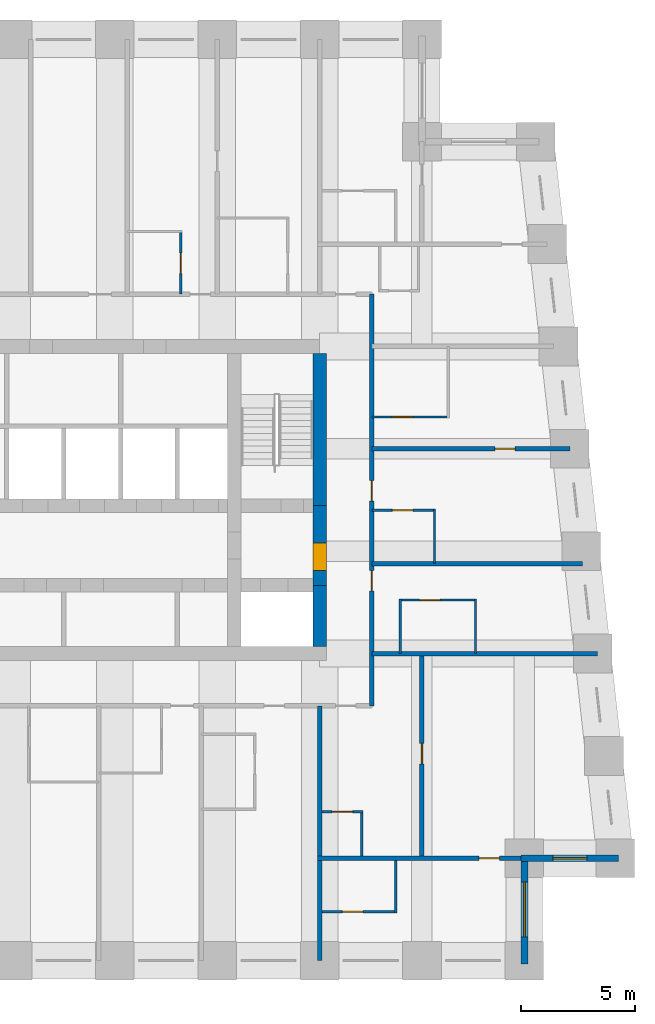
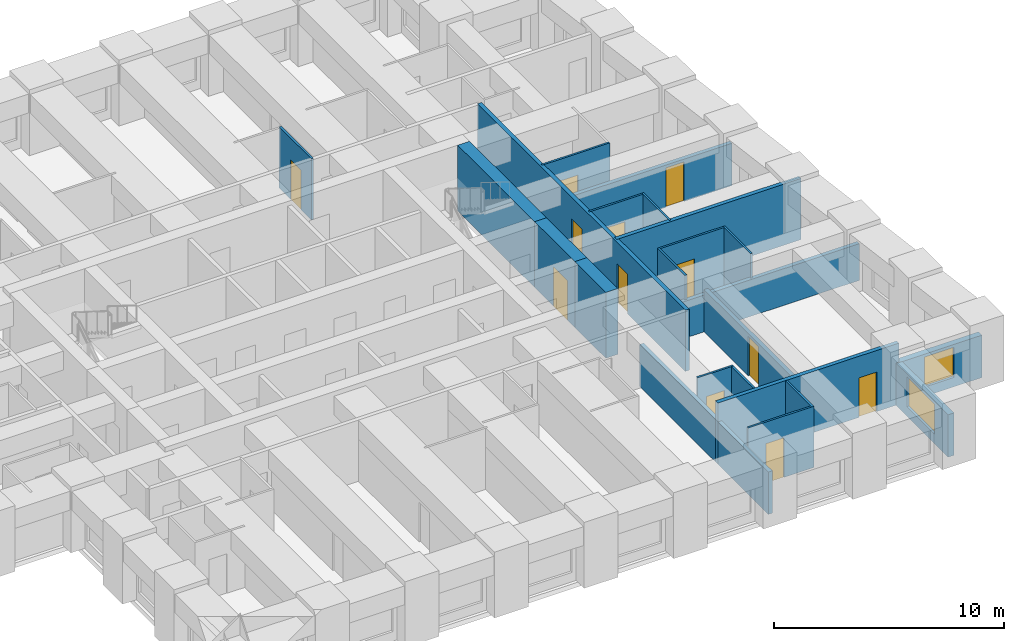
# One storey, part 5 of 8: 23 walls, 12 doors, 2 windows, 14 openings.
"""IFC4 building model written with IfcOpenShell, lengths in metres."""

from ifc_helpers import new_model, si_unit, direction, frame, frame_2d, origin, place, context, subcontext, project, spatial, rectangle, extrude, material, layer, layer_set, type_object, element, fill, save


model = new_model("IFC4")

# Units and contexts
model_context = context("Model", 3, precision=1e-05, world=origin(), true_north=direction((0.0, 1.0)))
body_context = subcontext(model_context, "Body", "Model", "MODEL_VIEW")
ifc_project = project(units=[si_unit("LENGTHUNIT", "METRE"), si_unit("AREAUNIT", "SQUARE_METRE"), si_unit("VOLUMEUNIT", "CUBIC_METRE"), si_unit("PLANEANGLEUNIT", "RADIAN"), si_unit("MASSUNIT", "GRAM", prefix="KILO")], contexts=[model_context])

# Site, building, storey
site_placement = place(None, origin())
site = spatial("IfcSite", under=ifc_project, at=site_placement, CompositionType="ELEMENT")
building_placement = place(site_placement, origin())
building = spatial("IfcBuilding", under=site, at=building_placement, Name="Kilele Tower Hotel", CompositionType="ELEMENT")
storey_placement = place(building_placement, frame((0.0, 0.0, 200.89990234375)))
storey = spatial("IfcBuildingStorey", under=building, at=storey_placement, Name="L52", CompositionType="ELEMENT", Elevation=200.89990234375)

# Walls
ifc_material_1 = material(Name="Moisture-resistant board")
ifc_layer_1 = layer(ifc_material_1, 0.10009765625)
ifc_layer_set_1 = layer_set([ifc_layer_1], Name="Moisture-resistant board")
wall_type_1 = type_object("IfcWallType", Name="Bathroom partition 100", PredefinedType="PLUMBINGWALL", material=ifc_layer_set_1)
for number, where, z_axis, x_axis, name in (
    (1, (39.550048828125, 13.5, 0.0), (0.0, 0.0, 1.0), (0.0, 1.0, 0.0), "Bathroom partition 100 L52"),
    (2, (42.85009765625, 13.5, 0.0), (0.0, 0.0, 1.0), (0.0, 1.0, 0.0), "Bathroom partition 100 L52"),
):
    element("IfcWall", number, at=place(storey_placement, frame(where, z_axis=z_axis, x_axis=x_axis)), inside=storey, type_object=wall_type_1, Name=name, PredefinedType="PLUMBINGWALL", context=body_context, shape_type="SweptSolid", body=[
        extrude(rectangle(XDim=2.39990234375, YDim=0.10009765625, at=frame_2d((1.199951171875, 0.0))), origin(), (0.0, 0.0, 1.0), 3.25),
    ])

# Wall, opening, door
wall_1_placement = place(storey_placement, frame((39.5, 15.85009765625, 0.0), z_axis=(0.0, 0.0, 1.0), x_axis=(1.0, 0.0, 0.0)))
wall_1 = element("IfcWall", 3, at=wall_1_placement, inside=storey, type_object=wall_type_1, Name="Bathroom partition 100 L52", PredefinedType="PLUMBINGWALL", context=body_context, shape_type="SweptSolid", body=[
    extrude(rectangle(XDim=3.39990234375, YDim=0.10009765625, at=frame_2d((1.699951171875, 0.0))), origin(), (0.0, 0.0, 1.0), 3.25),
])
opening_1_placement = place(wall_1_placement, frame((0.89990234375, 0.0, 0.0)))
opening_1 = element("IfcOpeningElement", 4, at=opening_1_placement, cuts=wall_1, Name="Opening D2A", PredefinedType="OPENING", context=body_context, shape_type="SweptSolid", body=[
    extrude(rectangle(XDim=0.89990234375, YDim=2.10009765625, at=frame_2d((0.449951171875, 1.050048828125))), frame((0.0, 0.06005859375, 0.0), z_axis=(0.0, -1.0, 0.0), x_axis=(1.0, 0.0, 0.0)), (0.0, 0.0, 1.0), 0.1201171875),
])
ifc_material_2 = material(Name="Timber door leaf in hardwood frame", Category="wood")
door_type_1 = type_object("IfcDoorType", Name="Bathroom door 900", OperationType="SINGLE_SWING_LEFT", PredefinedType="DOOR", material=ifc_material_2)
door_1_placement = place(opening_1_placement, origin())
door_1 = element("IfcDoor", 5, at=door_1_placement, inside=storey, type_object=door_type_1, Name="Bathroom door 5206B", OperationType="SINGLE_SWING_LEFT", OverallHeight=2.10009765625, OverallWidth=0.89990234375, PredefinedType="DOOR", context=body_context, shape_type="SweptSolid", body=[
    extrude(rectangle(XDim=0.89990234375, YDim=2.10009765625, at=frame_2d((0.449951171875, 1.050048828125))), frame((0.0, 0.02490234375, 0.0), z_axis=(0.0, -1.0, 0.0), x_axis=(1.0, 0.0, 0.0)), (0.0, 0.0, 1.0), 0.050048828125),
])
fill(opening_1, door_1)

# Wall
wall_2_placement = place(storey_placement, frame((41.050048828125, 17.449951171875, 0.0), z_axis=(0.0, 0.0, 1.0), x_axis=(0.0, 1.0, 0.0)))
element("IfcWall", 6, at=wall_2_placement, inside=storey, type_object=wall_type_1, Name="Bathroom partition 100 L52", PredefinedType="PLUMBINGWALL", context=body_context, shape_type="SweptSolid", body=[
    extrude(rectangle(XDim=2.400146484375, YDim=0.10009765625, at=frame_2d((1.2001953125, 0.0))), origin(), (0.0, 0.0, 1.0), 3.25),
])

# Wall, opening, door
wall_3_placement = place(storey_placement, frame((38.300048828125, 19.800048828125, 0.0), z_axis=(0.0, 0.0, 1.0), x_axis=(1.0, 0.0, 0.0)))
wall_3 = element("IfcWall", 7, at=wall_3_placement, inside=storey, type_object=wall_type_1, Name="Bathroom partition 100 L52", PredefinedType="PLUMBINGWALL", context=body_context, shape_type="SweptSolid", body=[
    extrude(rectangle(XDim=2.800048828125, YDim=0.10009765625, at=frame_2d((1.39990234375, 0.0))), origin(), (0.0, 0.0, 1.0), 3.25),
])
opening_2_placement = place(wall_3_placement, frame((0.89990234375, 0.0, 0.0)))
opening_2 = element("IfcOpeningElement", 8, at=opening_2_placement, cuts=wall_3, Name="Opening D2A", PredefinedType="OPENING", context=body_context, shape_type="SweptSolid", body=[
    extrude(rectangle(XDim=0.89990234375, YDim=2.10009765625, at=frame_2d((0.449951171875, 1.050048828125))), frame((0.0, 0.06005859375, 0.0), z_axis=(0.0, -1.0, 0.0), x_axis=(1.0, 0.0, 0.0)), (0.0, 0.0, 1.0), 0.1201171875),
])
door_2_placement = place(opening_2_placement, origin())
door_2 = element("IfcDoor", 9, at=door_2_placement, inside=storey, type_object=door_type_1, Name="Bathroom door 5207B", OperationType="SINGLE_SWING_LEFT", OverallHeight=2.10009765625, OverallWidth=0.89990234375, PredefinedType="DOOR", context=body_context, shape_type="SweptSolid", body=[
    extrude(rectangle(XDim=0.89990234375, YDim=2.10009765625, at=frame_2d((0.449951171875, 1.050048828125))), frame((0.0, 0.02490234375, 0.0), z_axis=(0.0, -1.0, 0.0), x_axis=(1.0, 0.0, 0.0)), (0.0, 0.0, 1.0), 0.050048828125),
])
fill(opening_2, door_2)

wall_4_placement = place(storey_placement, frame((38.300048828125, 23.89990234375, 0.0), z_axis=(0.0, 0.0, 1.0), x_axis=(1.0, 0.0, 0.0)))
wall_4 = element("IfcWall", 10, at=wall_4_placement, inside=storey, type_object=wall_type_1, Name="Bathroom partition 100 L52", PredefinedType="PLUMBINGWALL", context=body_context, shape_type="SweptSolid", body=[
    extrude(rectangle(XDim=3.39990234375, YDim=0.10009765625, at=frame_2d((1.699951171875, 0.0))), origin(), (0.0, 0.0, 1.0), 3.25),
])
opening_3_placement = place(wall_4_placement, frame((1.7998046875, 0.0, 0.0), z_axis=(0.0, 0.0, 1.0), x_axis=(-1.0, 0.0, 0.0)))
opening_3 = element("IfcOpeningElement", 11, at=opening_3_placement, cuts=wall_4, Name="Opening D2A", PredefinedType="OPENING", context=body_context, shape_type="SweptSolid", body=[
    extrude(rectangle(XDim=0.89990234375, YDim=2.10009765625, at=frame_2d((0.449951171875, 1.050048828125))), frame((0.0, 0.06005859375, 0.0), z_axis=(0.0, -1.0, 0.0), x_axis=(1.0, 0.0, 0.0)), (0.0, 0.0, 1.0), 0.1201171875),
])
door_3_placement = place(opening_3_placement, origin())
door_3 = element("IfcDoor", 12, at=door_3_placement, inside=storey, type_object=door_type_1, Name="Bathroom door 5208B", OperationType="SINGLE_SWING_RIGHT", OverallHeight=2.10009765625, OverallWidth=0.89990234375, PredefinedType="DOOR", context=body_context, shape_type="SweptSolid", body=[
    extrude(rectangle(XDim=0.89990234375, YDim=2.10009765625, at=frame_2d((0.449951171875, 1.050048828125))), frame((0.0, 0.02490234375, 0.0), z_axis=(0.0, -1.0, 0.0), x_axis=(1.0, 0.0, 0.0)), (0.0, 0.0, 1.0), 0.050048828125),
])
fill(opening_3, door_3)

wall_5_placement = place(storey_placement, frame((29.89990234375, 29.300048828125, 0.0), z_axis=(0.0, 0.0, 1.0), x_axis=(0.0, 1.0, 0.0)))
wall_5 = element("IfcWall", 13, at=wall_5_placement, inside=storey, type_object=wall_type_1, Name="Bathroom partition 100 L52", PredefinedType="PLUMBINGWALL", context=body_context, shape_type="SweptSolid", body=[
    extrude(rectangle(XDim=2.800048828125, YDim=0.10009765625, at=frame_2d((1.39990234375, 0.0))), origin(), (0.0, 0.0, 1.0), 3.25),
])
opening_4_placement = place(wall_5_placement, frame((1.7998046875, 0.0, 0.0), z_axis=(0.0, 0.0, 1.0), x_axis=(-1.0, 0.0, 0.0)))
opening_4 = element("IfcOpeningElement", 14, at=opening_4_placement, cuts=wall_5, Name="Opening D2A", PredefinedType="OPENING", context=body_context, shape_type="SweptSolid", body=[
    extrude(rectangle(XDim=0.89990234375, YDim=2.10009765625, at=frame_2d((0.449951171875, 1.050048828125))), frame((0.0, 0.06005859375, 0.0), z_axis=(0.0, -1.0, 0.0), x_axis=(1.0, 0.0, 0.0)), (0.0, 0.0, 1.0), 0.1201171875),
])
door_4_placement = place(opening_4_placement, origin())
door_4 = element("IfcDoor", 15, at=door_4_placement, inside=storey, type_object=door_type_1, Name="Bathroom door 5212B", OperationType="SINGLE_SWING_RIGHT", OverallHeight=2.10009765625, OverallWidth=0.89990234375, PredefinedType="DOOR", context=body_context, shape_type="SweptSolid", body=[
    extrude(rectangle(XDim=0.89990234375, YDim=2.10009765625, at=frame_2d((0.449951171875, 1.050048828125))), frame((0.0, 0.02490234375, 0.0), z_axis=(0.0, -1.0, 0.0), x_axis=(1.0, 0.0, 0.0)), (0.0, 0.0, 1.0), 0.050048828125),
])
fill(opening_4, door_4)

# Wall
wall_6_placement = place(storey_placement, frame((37.85009765625, 4.60009765625, 0.0), z_axis=(0.0, 0.0, 1.0), x_axis=(0.0, 1.0, 0.0)))
element("IfcWall", 16, at=wall_6_placement, inside=storey, type_object=wall_type_1, Name="Bathroom partition 100 L52", PredefinedType="PLUMBINGWALL", context=body_context, shape_type="SweptSolid", body=[
    extrude(rectangle(XDim=2.0, YDim=0.10009765625, at=frame_2d((1.0, 0.0))), origin(), (0.0, 0.0, 1.0), 3.25),
])

# Wall, opening, door
wall_7_placement = place(storey_placement, frame((36.10009765625, 6.550048828125, 0.0), z_axis=(0.0, 0.0, 1.0), x_axis=(1.0, 0.0, 0.0)))
wall_7 = element("IfcWall", 17, at=wall_7_placement, inside=storey, type_object=wall_type_1, Name="Bathroom partition 100 L52", PredefinedType="PLUMBINGWALL", context=body_context, shape_type="SweptSolid", body=[
    extrude(rectangle(XDim=1.7998046875, YDim=0.10009765625, at=frame_2d((0.89990234375, 0.0))), origin(), (0.0, 0.0, 1.0), 3.25),
])
opening_5_placement = place(wall_7_placement, frame((0.449951171875, 0.0, 0.0)))
opening_5 = element("IfcOpeningElement", 18, at=opening_5_placement, cuts=wall_7, Name="Opening D2A", PredefinedType="OPENING", context=body_context, shape_type="SweptSolid", body=[
    extrude(rectangle(XDim=0.89990234375, YDim=2.10009765625, at=frame_2d((0.449951171875, 1.050048828125))), frame((0.0, 0.06005859375, 0.0), z_axis=(0.0, -1.0, 0.0), x_axis=(1.0, 0.0, 0.0)), (0.0, 0.0, 1.0), 0.1201171875),
])
door_5_placement = place(opening_5_placement, origin())
door_5 = element("IfcDoor", 19, at=door_5_placement, inside=storey, type_object=door_type_1, Name="Bathroom door 5219P", OperationType="SINGLE_SWING_LEFT", OverallHeight=2.10009765625, OverallWidth=0.89990234375, PredefinedType="DOOR", context=body_context, shape_type="SweptSolid", body=[
    extrude(rectangle(XDim=0.89990234375, YDim=2.10009765625, at=frame_2d((0.449951171875, 1.050048828125))), frame((0.0, 0.02490234375, 0.0), z_axis=(0.0, -1.0, 0.0), x_axis=(1.0, 0.0, 0.0)), (0.0, 0.0, 1.0), 0.050048828125),
])
fill(opening_5, door_5)

# Wall
wall_8_placement = place(storey_placement, frame((39.35009765625, 4.39990234375, 0.0), z_axis=(0.0, 0.0, 1.0), x_axis=(0.0, -1.0, 0.0)))
element("IfcWall", 20, at=wall_8_placement, inside=storey, type_object=wall_type_1, Name="Bathroom partition 100 L52", PredefinedType="PLUMBINGWALL", context=body_context, shape_type="SweptSolid", body=[
    extrude(rectangle(XDim=2.2998046875, YDim=0.10009765625, at=frame_2d((1.14990234375, 0.0))), origin(), (0.0, 0.0, 1.0), 3.25),
])

# Wall, opening, door
wall_9_placement = place(storey_placement, frame((36.10009765625, 2.14990234375, 0.0), z_axis=(0.0, 0.0, 1.0), x_axis=(1.0, 0.0, 0.0)))
wall_9 = element("IfcWall", 21, at=wall_9_placement, inside=storey, type_object=wall_type_1, Name="Bathroom partition 100 L52", PredefinedType="PLUMBINGWALL", context=body_context, shape_type="SweptSolid", body=[
    extrude(rectangle(XDim=3.2998046875, YDim=0.10009765625, at=frame_2d((1.64990234375, 0.0))), origin(), (0.0, 0.0, 1.0), 3.25),
])
opening_6_placement = place(wall_9_placement, frame((1.7998046875, 0.0, 0.0), z_axis=(0.0, 0.0, 1.0), x_axis=(-1.0, 0.0, 0.0)))
opening_6 = element("IfcOpeningElement", 22, at=opening_6_placement, cuts=wall_9, Name="Opening D2A", PredefinedType="OPENING", context=body_context, shape_type="SweptSolid", body=[
    extrude(rectangle(XDim=0.89990234375, YDim=2.10009765625, at=frame_2d((0.449951171875, 1.050048828125))), frame((0.0, 0.06005859375, 0.0), z_axis=(0.0, -1.0, 0.0), x_axis=(1.0, 0.0, 0.0)), (0.0, 0.0, 1.0), 0.1201171875),
])
door_6_placement = place(opening_6_placement, origin())
door_6 = element("IfcDoor", 23, at=door_6_placement, inside=storey, type_object=door_type_1, Name="Bathroom door 5221B", OperationType="SINGLE_SWING_RIGHT", OverallHeight=2.10009765625, OverallWidth=0.89990234375, PredefinedType="DOOR", context=body_context, shape_type="SweptSolid", body=[
    extrude(rectangle(XDim=0.89990234375, YDim=2.10009765625, at=frame_2d((0.449951171875, 1.050048828125))), frame((0.0, 0.02490234375, 0.0), z_axis=(0.0, -1.0, 0.0), x_axis=(1.0, 0.0, 0.0)), (0.0, 0.0, 1.0), 0.050048828125),
])
fill(opening_6, door_6)

# Wall
ifc_material_3 = material(Name="Concrete C70/85", Category="concrete")
ifc_layer_2 = layer(ifc_material_3, 0.60009765625)
ifc_layer_set_2 = layer_set([ifc_layer_2], Name="Concrete C70/85")
wall_type_2 = type_object("IfcWallType", Name="Core wall 600 C70/85", PredefinedType="SHEAR", material=ifc_layer_set_2)
wall_10_placement = place(storey_placement, frame((36.0, 13.800048828125, 0.0), z_axis=(0.0, 0.0, 1.0), x_axis=(0.0, 1.0, 0.0)))
element("IfcWall", 24, at=wall_10_placement, inside=storey, type_object=wall_type_2, Name="Core wall E1 L52", PredefinedType="SHEAR", context=body_context, shape_type="SweptSolid", body=[
    extrude(rectangle(XDim=2.699951171875, YDim=0.60009765625, at=frame_2d((1.35009765625, 0.0))), origin(), (0.0, 0.0, 1.0), 3.5),
])

# Wall, opening, door
wall_11_placement = place(storey_placement, frame((36.0, 16.5, 0.0), z_axis=(0.0, 0.0, 1.0), x_axis=(0.0, 1.0, 0.0)))
wall_11 = element("IfcWall", 25, at=wall_11_placement, inside=storey, type_object=wall_type_2, Name="Core wall E2 L52", PredefinedType="SHEAR", context=body_context, shape_type="SweptSolid", body=[
    extrude(rectangle(XDim=3.5, YDim=0.60009765625, at=frame_2d((1.75, 0.0))), origin(), (0.0, 0.0, 1.0), 3.5),
])
opening_7_placement = place(wall_11_placement, frame((0.64990234375, 0.0, 0.0)))
opening_7 = element("IfcOpeningElement", 26, at=opening_7_placement, cuts=wall_11, Name="Opening D4", PredefinedType="OPENING", context=body_context, shape_type="SweptSolid", body=[
    extrude(rectangle(XDim=1.199951171875, YDim=2.10009765625, at=frame_2d((0.60009765625, 1.050048828125))), frame((0.0, 0.31005859375, 0.0), z_axis=(0.0, -1.0, 0.0), x_axis=(1.0, 0.0, 0.0)), (0.0, 0.0, 1.0), 0.6201171875),
])
ifc_material_4 = material(Name="Timber door leaf in hardwood frame", Category="wood")
door_type_2 = type_object("IfcDoorType", Name="Firefighting lobby door 1200", OperationType="SINGLE_SWING_LEFT", PredefinedType="DOOR", material=ifc_material_4)
door_7_placement = place(opening_7_placement, origin())
door_7 = element("IfcDoor", 27, at=door_7_placement, inside=storey, type_object=door_type_2, Name="Lobby door L52", OperationType="SINGLE_SWING_LEFT", OverallHeight=2.10009765625, OverallWidth=1.199951171875, PredefinedType="DOOR", context=body_context, shape_type="SweptSolid", body=[
    extrude(rectangle(XDim=1.199951171875, YDim=2.10009765625, at=frame_2d((0.60009765625, 1.050048828125))), frame((0.0, 0.2998046875, 0.0), z_axis=(0.0, -1.0, 0.0), x_axis=(1.0, 0.0, 0.0)), (0.0, 0.0, 1.0), 0.599609375),
])
fill(opening_7, door_7)

# Wall
wall_12_placement = place(storey_placement, frame((36.0, 20.0, 0.0), z_axis=(0.0, 0.0, 1.0), x_axis=(0.0, 1.0, 0.0)))
element("IfcWall", 28, at=wall_12_placement, inside=storey, type_object=wall_type_2, Name="Core wall E3 L52", PredefinedType="SHEAR", context=body_context, shape_type="SweptSolid", body=[
    extrude(rectangle(XDim=6.699951171875, YDim=0.60009765625, at=frame_2d((3.35009765625, 0.0))), origin(), (0.0, 0.0, 1.0), 3.5),
])

# Wall, openings, doors
ifc_material_5 = material(Name="Blockwork, plastered both sides", Category="masonry")
ifc_layer_3 = layer(ifc_material_5, 0.199951171875)
ifc_layer_set_3 = layer_set([ifc_layer_3], Name="Blockwork, plastered both sides")
wall_type_3 = type_object("IfcWallType", Name="Corridor wall 200", PredefinedType="PARTITIONING", material=ifc_layer_set_3)
wall_13_placement = place(storey_placement, frame((38.300048828125, 11.199951171875, 0.0), z_axis=(0.0, 0.0, 1.0), x_axis=(0.0, 1.0, 0.0)))
wall_13 = element("IfcWall", 29, at=wall_13_placement, inside=storey, type_object=wall_type_3, Name="Corridor wall 200 L52", PredefinedType="PARTITIONING", context=body_context, shape_type="SweptSolid", body=[
    extrude(rectangle(XDim=18.10009765625, YDim=0.199951171875, at=frame_2d((9.050048828125, 0.0))), origin(), (0.0, 0.0, 1.0), 3.25),
])
opening_8_placement = place(wall_13_placement, frame((5.949951171875, 0.0, 0.0), z_axis=(0.0, 0.0, 1.0), x_axis=(-1.0, 0.0, 0.0)))
opening_8 = element("IfcOpeningElement", 30, at=opening_8_placement, cuts=wall_13, Name="Opening D1", PredefinedType="OPENING", context=body_context, shape_type="SweptSolid", body=[
    extrude(rectangle(XDim=0.89990234375, YDim=2.10009765625, at=frame_2d((0.449951171875, 1.050048828125))), frame((0.0, 0.10986328125, 0.0), z_axis=(0.0, -1.0, 0.0), x_axis=(1.0, 0.0, 0.0)), (0.0, 0.0, 1.0), 0.219970703125),
])
opening_9_placement = place(wall_13_placement, frame((9.89990234375, 0.0, 0.0), z_axis=(0.0, 0.0, 1.0), x_axis=(-1.0, 0.0, 0.0)))
opening_9 = element("IfcOpeningElement", 31, at=opening_9_placement, cuts=wall_13, Name="Opening D1", PredefinedType="OPENING", context=body_context, shape_type="SweptSolid", body=[
    extrude(rectangle(XDim=0.89990234375, YDim=2.10009765625, at=frame_2d((0.449951171875, 1.050048828125))), frame((0.0, 0.10986328125, 0.0), z_axis=(0.0, -1.0, 0.0), x_axis=(1.0, 0.0, 0.0)), (0.0, 0.0, 1.0), 0.219970703125),
])
ifc_material_6 = material(Name="Timber door leaf in hardwood frame", Category="wood")
door_type_3 = type_object("IfcDoorType", Name="Guest room entrance door 900", OperationType="SINGLE_SWING_LEFT", PredefinedType="DOOR", material=ifc_material_6)
door_8_placement = place(opening_8_placement, origin())
door_8 = element("IfcDoor", 32, at=door_8_placement, inside=storey, type_object=door_type_3, Name="Room entrance 5206", OperationType="SINGLE_SWING_LEFT", OverallHeight=2.10009765625, OverallWidth=0.89990234375, PredefinedType="DOOR", context=body_context, shape_type="SweptSolid", body=[
    extrude(rectangle(XDim=0.89990234375, YDim=2.10009765625, at=frame_2d((0.449951171875, 1.050048828125))), frame((0.0, 0.02490234375, 0.0), z_axis=(0.0, -1.0, 0.0), x_axis=(1.0, 0.0, 0.0)), (0.0, 0.0, 1.0), 0.050048828125),
])
fill(opening_8, door_8)
door_9_placement = place(opening_9_placement, origin())
door_9 = element("IfcDoor", 33, at=door_9_placement, inside=storey, type_object=door_type_3, Name="Room entrance 5207", OperationType="SINGLE_SWING_RIGHT", OverallHeight=2.10009765625, OverallWidth=0.89990234375, PredefinedType="DOOR", context=body_context, shape_type="SweptSolid", body=[
    extrude(rectangle(XDim=0.89990234375, YDim=2.10009765625, at=frame_2d((0.449951171875, 1.050048828125))), frame((0.0, 0.02490234375, 0.0), z_axis=(0.0, -1.0, 0.0), x_axis=(1.0, 0.0, 0.0)), (0.0, 0.0, 1.0), 0.050048828125),
])
fill(opening_9, door_9)

# Wall, opening, door
ifc_material_7 = material(Name="Blockwork, plastered both sides", Category="masonry")
ifc_layer_4 = layer(ifc_material_7, 0.199951171875)
ifc_layer_set_4 = layer_set([ifc_layer_4], Name="Blockwork, plastered both sides")
wall_type_4 = type_object("IfcWallType", Name="Partition wall 200", PredefinedType="PARTITIONING", material=ifc_layer_set_4)
wall_14_placement = place(storey_placement, frame((40.5, 4.60009765625, 0.0), z_axis=(0.0, 0.0, 1.0), x_axis=(0.0, 1.0, 0.0)))
wall_14 = element("IfcWall", 34, at=wall_14_placement, inside=storey, type_object=wall_type_4, Name="Partition wall 200 L52", PredefinedType="PARTITIONING", context=body_context, shape_type="SweptSolid", body=[
    extrude(rectangle(XDim=8.7998046875, YDim=0.199951171875, at=frame_2d((4.39990234375, 0.0))), origin(), (0.0, 0.0, 1.0), 2.25),
])
opening_10_placement = place(wall_14_placement, frame((4.050048828125, 0.0, 0.0)))
opening_10 = element("IfcOpeningElement", 35, at=opening_10_placement, cuts=wall_14, Name="Opening D3", PredefinedType="OPENING", context=body_context, shape_type="SweptSolid", body=[
    extrude(rectangle(XDim=0.89990234375, YDim=2.10009765625, at=frame_2d((0.449951171875, 1.050048828125))), frame((0.0, 0.10986328125, 0.0), z_axis=(0.0, -1.0, 0.0), x_axis=(1.0, 0.0, 0.0)), (0.0, 0.0, 1.0), 0.219970703125),
])
ifc_material_8 = material(Name="Timber door leaf in hardwood frame", Category="wood")
door_type_4 = type_object("IfcDoorType", Name="Suite internal door 900", OperationType="SINGLE_SWING_LEFT", PredefinedType="DOOR", material=ifc_material_8)
door_10_placement = place(opening_10_placement, origin())
door_10 = element("IfcDoor", 36, at=door_10_placement, inside=storey, type_object=door_type_4, Name="Suite door 5220", OperationType="SINGLE_SWING_RIGHT", OverallHeight=2.10009765625, OverallWidth=0.89990234375, PredefinedType="DOOR", context=body_context, shape_type="SweptSolid", body=[
    extrude(rectangle(XDim=0.89990234375, YDim=2.10009765625, at=frame_2d((0.449951171875, 1.050048828125))), frame((0.0, 0.02490234375, 0.0), z_axis=(0.0, -1.0, 0.0), x_axis=(1.0, 0.0, 0.0)), (0.0, 0.0, 1.0), 0.050048828125),
])
fill(opening_10, door_10)

# Wall
ifc_material_9 = material(Name="Blockwork, plastered both sides", Category="masonry")
ifc_layer_5 = layer(ifc_material_9, 0.199951171875)
ifc_layer_set_5 = layer_set([ifc_layer_5], Name="Blockwork, plastered both sides")
wall_type_5 = type_object("IfcWallType", Name="Party wall 200", PredefinedType="PARTITIONING", material=ifc_layer_set_5)
wall_15_placement = place(storey_placement, frame((38.300048828125, 17.449951171875, 0.0), z_axis=(0.0, 0.0, 1.0), x_axis=(1.0, 0.0, 0.0)))
element("IfcWall", 37, at=wall_15_placement, inside=storey, type_object=wall_type_5, Name="Party wall 200 L52", PredefinedType="PARTITIONING", context=body_context, shape_type="SweptSolid", body=[
    extrude(rectangle(XDim=9.26025390625, YDim=0.199951171875, at=frame_2d((4.630126953125, 0.0))), origin(), (0.0, 0.0, 1.0), 3.25),
])

# Wall, opening, door
wall_16_placement = place(storey_placement, frame((38.300048828125, 22.5, 0.0), z_axis=(0.0, 0.0, 1.0), x_axis=(1.0, 0.0, 0.0)))
wall_16 = element("IfcWall", 38, at=wall_16_placement, inside=storey, type_object=wall_type_5, Name="Party wall 200 L52", PredefinedType="PARTITIONING", context=body_context, shape_type="SweptSolid", body=[
    extrude(rectangle(XDim=8.698974609375, YDim=0.199951171875, at=frame_2d((4.349609375, 0.0))), origin(), (0.0, 0.0, 1.0), 2.25),
])
opening_11_placement = place(wall_16_placement, frame((5.39990234375, 0.0, 0.0)))
opening_11 = element("IfcOpeningElement", 39, at=opening_11_placement, cuts=wall_16, Name="Opening D3", PredefinedType="OPENING", context=body_context, shape_type="SweptSolid", body=[
    extrude(rectangle(XDim=0.89990234375, YDim=2.10009765625, at=frame_2d((0.449951171875, 1.050048828125))), frame((0.0, 0.10986328125, 0.0), z_axis=(0.0, -1.0, 0.0), x_axis=(1.0, 0.0, 0.0)), (0.0, 0.0, 1.0), 0.219970703125),
])
door_11_placement = place(opening_11_placement, origin())
door_11 = element("IfcDoor", 40, at=door_11_placement, inside=storey, type_object=door_type_4, Name="Suite door 5208", OperationType="SINGLE_SWING_RIGHT", OverallHeight=2.10009765625, OverallWidth=0.89990234375, PredefinedType="DOOR", context=body_context, shape_type="SweptSolid", body=[
    extrude(rectangle(XDim=0.89990234375, YDim=2.10009765625, at=frame_2d((0.449951171875, 1.050048828125))), frame((0.0, 0.02490234375, 0.0), z_axis=(0.0, -1.0, 0.0), x_axis=(1.0, 0.0, 0.0)), (0.0, 0.0, 1.0), 0.050048828125),
])
fill(opening_11, door_11)

# Walls
wall_17_placement = place(storey_placement, frame((38.300048828125, 13.5, 0.0), z_axis=(0.0, 0.0, 1.0), x_axis=(1.0, 0.0, 0.0)))
element("IfcWall", 41, at=wall_17_placement, inside=storey, type_object=wall_type_5, Name="Party wall 200 L52", PredefinedType="PARTITIONING", context=body_context, shape_type="SweptSolid", body=[
    extrude(rectangle(XDim=9.921142578125, YDim=0.199951171875, at=frame_2d((4.96044921875, 0.0))), origin(), (0.0, 0.0, 1.0), 1.9501953125),
])
wall_18_placement = place(storey_placement, frame((36.0, 11.199951171875, 0.0), z_axis=(0.0, 0.0, 1.0), x_axis=(0.0, -1.0, 0.0)))
element("IfcWall", 42, at=wall_18_placement, inside=storey, type_object=wall_type_5, Name="Party wall 200 L52", PredefinedType="PARTITIONING", context=body_context, shape_type="SweptSolid", body=[
    extrude(rectangle(XDim=11.199951171875, YDim=0.199951171875, at=frame_2d((5.60009765625, 0.0))), origin(), (0.0, 0.0, 1.0), 2.25),
])

# Wall, opening, door
wall_19_placement = place(storey_placement, frame((35.89990234375, 4.5, 0.0), z_axis=(0.0, 0.0, 1.0), x_axis=(1.0, 0.0, 0.0)))
wall_19 = element("IfcWall", 43, at=wall_19_placement, inside=storey, type_object=wall_type_5, Name="Party wall 200 L52", PredefinedType="PARTITIONING", context=body_context, shape_type="SweptSolid", body=[
    extrude(rectangle(XDim=9.10009765625, YDim=0.199951171875, at=frame_2d((4.550048828125, 0.0))), origin(), (0.0, 0.0, 1.0), 3.25),
])
opening_12_placement = place(wall_19_placement, frame((7.10009765625, 0.0, 0.0)))
opening_12 = element("IfcOpeningElement", 44, at=opening_12_placement, cuts=wall_19, Name="Opening D3", PredefinedType="OPENING", context=body_context, shape_type="SweptSolid", body=[
    extrude(rectangle(XDim=0.89990234375, YDim=2.10009765625, at=frame_2d((0.449951171875, 1.050048828125))), frame((0.0, 0.10986328125, 0.0), z_axis=(0.0, -1.0, 0.0), x_axis=(1.0, 0.0, 0.0)), (0.0, 0.0, 1.0), 0.219970703125),
])
door_12_placement = place(opening_12_placement, origin())
door_12 = element("IfcDoor", 45, at=door_12_placement, inside=storey, type_object=door_type_4, Name="Suite door 5221", OperationType="SINGLE_SWING_RIGHT", OverallHeight=2.10009765625, OverallWidth=0.89990234375, PredefinedType="DOOR", context=body_context, shape_type="SweptSolid", body=[
    extrude(rectangle(XDim=0.89990234375, YDim=2.10009765625, at=frame_2d((0.449951171875, 1.050048828125))), frame((0.0, 0.02490234375, 0.0), z_axis=(0.0, -1.0, 0.0), x_axis=(1.0, 0.0, 0.0)), (0.0, 0.0, 1.0), 0.050048828125),
])
fill(opening_12, door_12)

# Wall, opening, window
ifc_material_10 = material(Name="Concrete C40/50 precast", Category="concrete")
ifc_layer_6 = layer(ifc_material_10, 0.260009765625, Name="Precast backing", Category="LoadBearing")
ifc_material_11 = material(Name="Reconstituted stone finish", Category="masonry")
ifc_layer_7 = layer(ifc_material_11, 0.0400390625, Name="Face mix", Category="Finish")
ifc_layer_set_6 = layer_set([ifc_layer_6, ifc_layer_7], Name="Precast concrete C40/50, reconstituted stone finish")
wall_type_6 = type_object("IfcWallType", Name="Precast stone facade wall 300", PredefinedType="STANDARD", material=ifc_layer_set_6)
wall_20_placement = place(storey_placement, frame((45.0, -0.14990234375, 0.0), z_axis=(0.0, 0.0, 1.0), x_axis=(0.0, 1.0, 0.0)))
wall_20 = element("IfcWall", 46, at=wall_20_placement, inside=storey, type_object=wall_type_6, Name="Facade wall L52 edge 4", PredefinedType="STANDARD", context=body_context, shape_type="SweptSolid", body=[
    extrude(rectangle(XDim=4.7998046875, YDim=0.300048828125, at=frame_2d((2.39990234375, 0.0))), origin(), (0.0, 0.0, 1.0), 2.25),
])
opening_13_placement = place(wall_20_placement, frame((1.199951171875, 0.0, 0.5)))
opening_13 = element("IfcOpeningElement", 47, at=opening_13_placement, cuts=wall_20, Name="Opening W3", PredefinedType="OPENING", context=body_context, shape_type="SweptSolid", body=[
    extrude(rectangle(XDim=2.39990234375, YDim=1.60009765625, at=frame_2d((1.199951171875, 0.800048828125))), frame((0.0, 0.159912109375, 0.0), z_axis=(0.0, -1.0, 0.0), x_axis=(1.0, 0.0, 0.0)), (0.0, 0.0, 1.0), 0.320068359375),
])
ifc_material_12 = material(Name="Aluminium frame, clear double glazing", Category="aluminium")
window_type_1 = type_object("IfcWindowType", Name="Window W3 2400 x 1600", PartitioningType="SINGLE_PANEL", PredefinedType="WINDOW", material=ifc_material_12)
window_1_placement = place(opening_13_placement, origin())
window_1 = element("IfcWindow", 48, at=window_1_placement, inside=storey, type_object=window_type_1, Name="Window L52", OverallHeight=1.60009765625, OverallWidth=2.39990234375, PartitioningType="SINGLE_PANEL", PredefinedType="WINDOW", context=body_context, shape_type="SweptSolid", body=[
    extrude(rectangle(XDim=2.39990234375, YDim=1.60009765625, at=frame_2d((1.199951171875, 0.800048828125))), frame((0.0, 0.030029296875, 0.0), z_axis=(0.0, -1.0, 0.0), x_axis=(1.0, 0.0, 0.0)), (0.0, 0.0, 1.0), 0.06005859375),
])
fill(opening_13, window_1)

wall_21_placement = place(storey_placement, frame((44.85009765625, 4.5, 0.0), z_axis=(0.0, 0.0, 1.0), x_axis=(1.0, 0.0, 0.0)))
wall_21 = element("IfcWall", 49, at=wall_21_placement, inside=storey, type_object=wall_type_6, Name="Facade wall L52 edge 5", PredefinedType="STANDARD", context=body_context, shape_type="SweptSolid", body=[
    extrude(rectangle(XDim=4.2998046875, YDim=0.300048828125, at=frame_2d((2.14990234375, 0.0))), origin(), (0.0, 0.0, 1.0), 2.25),
])
opening_14_placement = place(wall_21_placement, frame((1.39990234375, 0.0, 0.5)))
opening_14 = element("IfcOpeningElement", 50, at=opening_14_placement, cuts=wall_21, Name="Opening W3", PredefinedType="OPENING", context=body_context, shape_type="SweptSolid", body=[
    extrude(rectangle(XDim=1.5, YDim=1.60009765625, at=frame_2d((0.75, 0.800048828125))), frame((0.0, 0.159912109375, 0.0), z_axis=(0.0, -1.0, 0.0), x_axis=(1.0, 0.0, 0.0)), (0.0, 0.0, 1.0), 0.320068359375),
])
ifc_material_13 = material(Name="Aluminium frame, clear double glazing", Category="aluminium")
window_type_2 = type_object("IfcWindowType", Name="Window W3 1500 x 1600", PartitioningType="SINGLE_PANEL", PredefinedType="WINDOW", material=ifc_material_13)
window_2_placement = place(opening_14_placement, origin())
window_2 = element("IfcWindow", 51, at=window_2_placement, inside=storey, type_object=window_type_2, Name="Window L52", OverallHeight=1.60009765625, OverallWidth=1.5, PartitioningType="SINGLE_PANEL", PredefinedType="WINDOW", context=body_context, shape_type="SweptSolid", body=[
    extrude(rectangle(XDim=1.5, YDim=1.60009765625, at=frame_2d((0.75, 0.800048828125))), frame((0.0, 0.030029296875, 0.0), z_axis=(0.0, -1.0, 0.0), x_axis=(1.0, 0.0, 0.0)), (0.0, 0.0, 1.0), 0.06005859375),
])
fill(opening_14, window_2)

save(model, "model.ifc")
